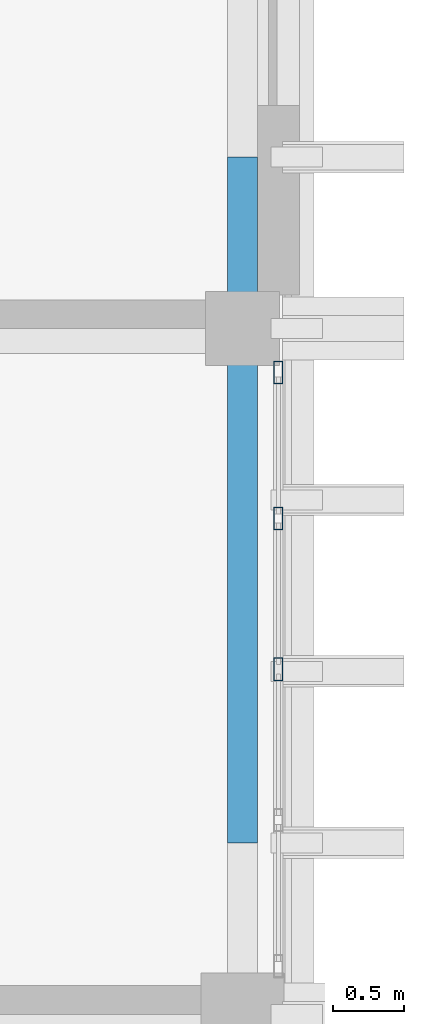
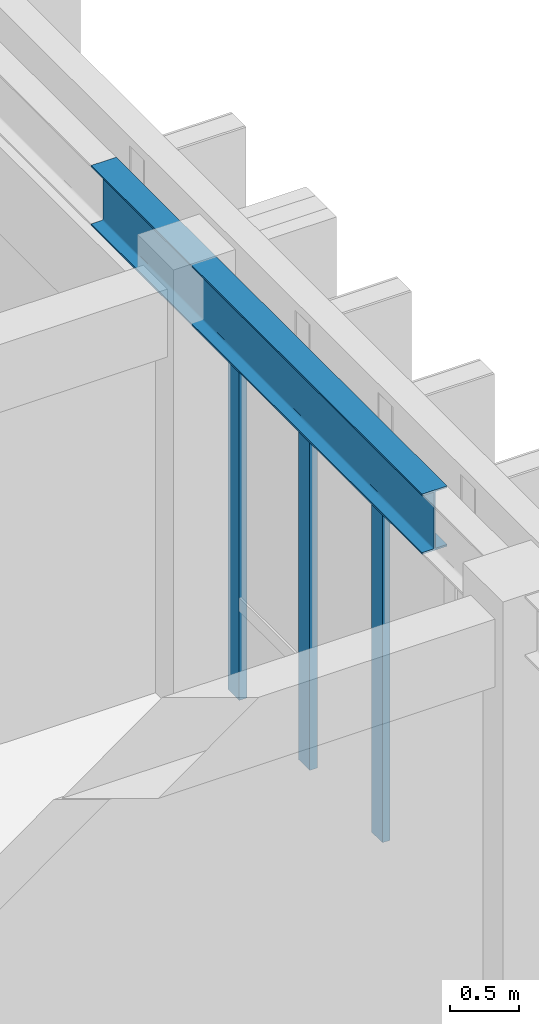
# One storey, part 17 of 49: 3 members, 1 beam, 1 element without a shape of its own.
"""IFC4 building model written with IfcOpenShell, lengths in metres."""

from ifc_helpers import new_model, si_unit, direction, frame, origin, origin_2d, place, context, subcontext, project, spatial, hollow_rectangle, i_section, extrude, material, layer, layer_set, material_profile, profile_set, type_object, element, aggregate, save


model = new_model("IFC4")

# Units and contexts
model_context = context("Model", 3, precision=1e-05, world=origin(), true_north=direction((0.0, 1.0)))
body_context = subcontext(model_context, "Body", "Model", "MODEL_VIEW")
ifc_project = project(units=[si_unit("LENGTHUNIT", "METRE"), si_unit("AREAUNIT", "SQUARE_METRE"), si_unit("VOLUMEUNIT", "CUBIC_METRE"), si_unit("PLANEANGLEUNIT", "RADIAN"), si_unit("MASSUNIT", "GRAM", prefix="KILO")], contexts=[model_context])

# Site, building, storey
site_placement = place(None, origin())
site = spatial("IfcSite", under=ifc_project, at=site_placement, CompositionType="ELEMENT")
building_placement = place(site_placement, origin())
building = spatial("IfcBuilding", under=site, at=building_placement, Name="Nakhvara Creek Congress Hotel", CompositionType="ELEMENT")
storey_placement = place(building_placement, frame((0.0, 0.0, 46.5)))
storey = spatial("IfcBuildingStorey", under=building, at=storey_placement, Name="L11", CompositionType="ELEMENT", Elevation=46.5)

# Beam
ifc_material_1 = material(Name="Steel S355J2", Category="steel")
ifc_material_profile_1 = material_profile(ifc_material_1, i_section(OverallWidth=0.209228515625, OverallDepth=0.533203125, WebThickness=0.010009765625, FlangeThickness=0.015625, FilletRadius=0.0126953125, at=origin_2d()), Name="UB 533x210x92", Category="LoadBearing")
ifc_profile_set_1 = profile_set([ifc_material_profile_1], Name="Steel S355J2")
beam_type = type_object("IfcBeamType", Name="BM-ST-UB533", PredefinedType="BEAM", material=ifc_profile_set_1)
beam_placement = place(storey_placement, frame((179.35009765625, 87.60009765625, 3.6201171875), z_axis=(0.0, 1.0, 0.0), x_axis=(-1.0, 0.0, 0.0)))
element("IfcBeam", 1, at=beam_placement, inside=storey, type_object=beam_type, Name="Hotel Gable Eave Beam E-04", PredefinedType="BEAM", context=body_context, shape_type="SweptSolid", body=[
    extrude(i_section(OverallWidth=0.209228515625, OverallDepth=0.533203125, WebThickness=0.010009765625, FlangeThickness=0.015625, FilletRadius=0.0126953125, at=origin_2d()), origin(), (0.0, 0.0, 1.0), 4.7998046875),
])

# Curtain wall, members
ifc_material_2 = material(Name="Bronze-anodised aluminium AW-6063-T6 and double-silver low-E glass", Category="aluminium")
ifc_layer = layer(ifc_material_2, 0.199951171875)
ifc_layer_set = layer_set([ifc_layer], Name="Bronze-anodised aluminium AW-6063-T6 and double-silver low-E glass")
curtain_wall_type = type_object("IfcCurtainWallType", Name="CW-HTL-UNIT", PredefinedType="USERDEFINED", material=ifc_layer_set)
curtain_wall_placement = place(storey_placement, origin())
curtain_wall = element("IfcCurtainWall", 2, at=curtain_wall_placement, inside=storey, type_object=curtain_wall_type, Name="Curtain Wall CW338", ObjectType="UNITISED", PredefinedType="USERDEFINED")
ifc_material_3 = material(Name="Bronze-anodised aluminium AW-6063-T6", Category="aluminium")
ifc_material_profile_2 = material_profile(ifc_material_3, hollow_rectangle(XDim=0.06494140625, YDim=0.159912109375, WallThickness=0.00390625, at=origin_2d()), Name="ALU-MULL 65x160x4", Category="LoadBearing")
ifc_profile_set_2 = profile_set([ifc_material_profile_2], Name="Bronze-anodised aluminium AW-6063-T6")
member_type = type_object("IfcMemberType", Name="CW-MULL-160", PredefinedType="MULLION", material=ifc_profile_set_2)
member_1_placement = place(storey_placement, frame((179.60009765625, 90.892578125, 0.0), z_axis=(0.0, 0.0, 1.0), x_axis=(1.0, 0.0, 0.0)))
member_1 = element("IfcMember", 3, at=member_1_placement, type_object=member_type, Name="CW338 mullion 1", PredefinedType="MULLION", context=body_context, shape_type="SweptSolid", body=[
    extrude(hollow_rectangle(XDim=0.06494140625, YDim=0.159912109375, WallThickness=0.00390625, at=origin_2d()), origin(), (0.0, 0.0, 1.0), 3.072021484375),
])
member_2_placement = place(storey_placement, frame((179.60009765625, 89.8701171875, 0.0), z_axis=(0.0, 0.0, 1.0), x_axis=(1.0, 0.0, 0.0)))
member_2 = element("IfcMember", 4, at=member_2_placement, type_object=member_type, Name="CW338 mullion 2", PredefinedType="MULLION", context=body_context, shape_type="SweptSolid", body=[
    extrude(hollow_rectangle(XDim=0.06494140625, YDim=0.159912109375, WallThickness=0.00390625, at=origin_2d()), origin(), (0.0, 0.0, 1.0), 3.072021484375),
])
member_3_placement = place(storey_placement, frame((179.60009765625, 88.81494140625, 0.0), z_axis=(0.0, 0.0, 1.0), x_axis=(1.0, 0.0, 0.0)))
member_3 = element("IfcMember", 5, at=member_3_placement, type_object=member_type, Name="CW338 mullion 3", PredefinedType="MULLION", context=body_context, shape_type="SweptSolid", body=[
    extrude(hollow_rectangle(XDim=0.06494140625, YDim=0.159912109375, WallThickness=0.00390625, at=origin_2d()), origin(), (0.0, 0.0, 1.0), 3.072021484375),
])
aggregate(curtain_wall, [member_1, member_2, member_3])

save(model, "model.ifc")
